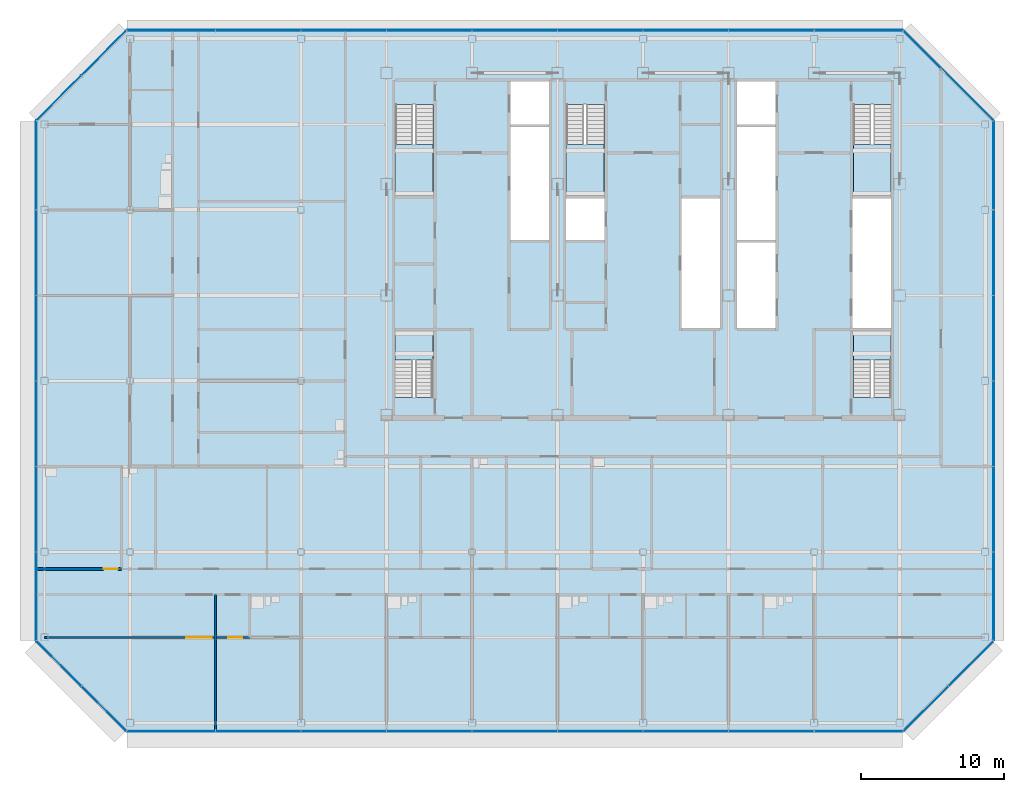
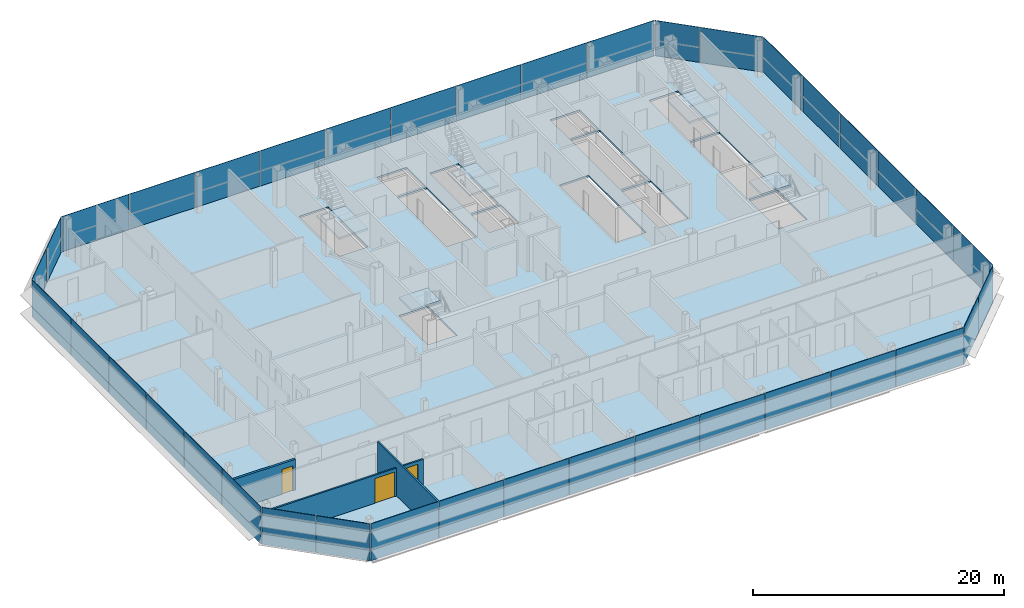
# One storey, part 20 of 28: 38 plates, 6 slabs, 3 doors, 3 walls, 3 openings, 13 elements without a shape of their own.
"""IFC4 building model written with IfcOpenShell, lengths in metres."""

from ifc_helpers import new_model, si_unit, direction, frame, frame_2d, origin, origin_2d, place, context, subcontext, project, spatial, polyline, rectangle, outline, extrude, material, layer, layer_set, type_object, element, fill, aggregate, save


model = new_model("IFC4")

# Units and contexts
model_context = context("Model", 3, precision=1e-05, world=origin(), true_north=direction((0.0, 1.0)))
body_context = subcontext(model_context, "Body", "Model", "MODEL_VIEW")
ifc_project = project(units=[si_unit("LENGTHUNIT", "METRE"), si_unit("AREAUNIT", "SQUARE_METRE"), si_unit("VOLUMEUNIT", "CUBIC_METRE"), si_unit("PLANEANGLEUNIT", "RADIAN"), si_unit("MASSUNIT", "GRAM", prefix="KILO")], contexts=[model_context])

# Site, building, storey
site_placement = place(None, origin())
site = spatial("IfcSite", under=ifc_project, at=site_placement, CompositionType="ELEMENT")
building_placement = place(site_placement, origin())
building = spatial("IfcBuilding", under=site, at=building_placement, Name="Sorahane Residences", CompositionType="ELEMENT")
storey_placement = place(building_placement, frame((0.0, 0.0, 308.800048828125)))
storey = spatial("IfcBuildingStorey", under=building, at=storey_placement, Name="L73", CompositionType="ELEMENT", Elevation=308.800048828125)

# Slab
ifc_material_1 = material(Name="Concrete C35", Category="concrete")
ifc_layer_1 = layer(ifc_material_1, 0.179931640625)
ifc_layer_set_1 = layer_set([ifc_layer_1], Name="Composite floor slab 180 mm Concrete C35")
slab_type_1 = type_object("IfcSlabType", Name="Composite floor slab 180 mm Concrete C35", PredefinedType="FLOOR", material=ifc_layer_set_1)
slab_1_placement = place(storey_placement, frame((0.0, 0.0, -0.179931640625)))
element("IfcSlab", 1, at=slab_1_placement, inside=storey, type_object=slab_type_1, Name="Slab L73", PredefinedType="FLOOR", context=body_context, shape_type="SweptSolid", body=[
    extrude(outline(polyline([(-12.24853515625, -0.60009765625), (-18.60009765625, 5.75146484375), (-18.60009765625, 42.24853515625), (-12.24853515625, 48.60009765625), (42.24853515625, 48.60009765625), (48.60009765625, 42.24853515625), (48.60009765625, 5.75146484375), (42.24853515625, -0.60009765625), (-12.24853515625, -0.60009765625)]), holes=[polyline([(38.699951171875, 27.699951171875), (41.39990234375, 27.699951171875), (41.39990234375, 36.800048828125), (38.699951171875, 36.800048828125), (38.699951171875, 27.699951171875)]), polyline([(30.60009765625, 27.699951171875), (33.300048828125, 27.699951171875), (33.300048828125, 33.699951171875), (30.60009765625, 33.699951171875), (30.60009765625, 27.699951171875)]), polyline([(30.60009765625, 42.0), (33.300048828125, 42.0), (33.300048828125, 45.0), (30.60009765625, 45.0), (30.60009765625, 42.0)]), polyline([(14.699951171875, 42.0), (17.39990234375, 42.0), (17.39990234375, 45.0), (14.699951171875, 45.0), (14.699951171875, 42.0)]), polyline([(6.60009765625, 43.39990234375), (6.60009765625, 37.0), (9.25, 37.0), (9.25, 43.39990234375), (6.60009765625, 43.39990234375)]), polyline([(38.75, 43.39990234375), (38.75, 37.0), (41.39990234375, 37.0), (41.39990234375, 43.39990234375), (38.75, 43.39990234375)]), polyline([(18.60009765625, 43.39990234375), (18.60009765625, 37.0), (21.25, 37.0), (21.25, 43.39990234375), (18.60009765625, 43.39990234375)]), polyline([(9.25, 22.85009765625), (9.25, 27.5), (6.60009765625, 27.5), (6.60009765625, 22.85009765625), (9.25, 22.85009765625)]), polyline([(41.39990234375, 22.85009765625), (41.39990234375, 27.5), (38.75, 27.5), (38.75, 22.85009765625), (41.39990234375, 22.85009765625)]), polyline([(14.699951171875, 33.89990234375), (17.39990234375, 33.89990234375), (17.39990234375, 41.800048828125), (14.699951171875, 41.800048828125), (14.699951171875, 33.89990234375)]), polyline([(30.60009765625, 33.89990234375), (33.300048828125, 33.89990234375), (33.300048828125, 41.800048828125), (30.60009765625, 41.800048828125), (30.60009765625, 33.89990234375)]), polyline([(18.60009765625, 33.89990234375), (21.300048828125, 33.89990234375), (21.300048828125, 36.800048828125), (18.60009765625, 36.800048828125), (18.60009765625, 33.89990234375)]), polyline([(26.699951171875, 27.699951171875), (29.39990234375, 27.699951171875), (29.39990234375, 36.800048828125), (26.699951171875, 36.800048828125), (26.699951171875, 27.699951171875)])]), origin(), (0.0, 0.0, 1.0), 0.179931640625),
])

# Curtain wall, plates
ifc_material_2 = material(Name="Dark low-e glass and black anodised aluminium", Category="aluminium")
curtain_wall_type_1 = type_object("IfcCurtainWallType", Name="Curtain wall CW-1 Typical unitised wall", PredefinedType="NOTDEFINED", material=ifc_material_2)
curtain_wall_1_placement = place(storey_placement, origin())
curtain_wall_1 = element("IfcCurtainWall", 2, at=curtain_wall_1_placement, inside=storey, type_object=curtain_wall_type_1, Name="CW-1 curtain wall L73 S1", PredefinedType="NOTDEFINED")
ifc_material_3 = material(Name="Dark low-e glass with black ceramic frit", Category="glass")
ifc_layer_2 = layer(ifc_material_3, 0.0400390625)
ifc_layer_set_2 = layer_set([ifc_layer_2], Name="Curtain wall glass panel dark low-e with black frit spandrel band")
plate_type = type_object("IfcPlateType", Name="Curtain wall glass panel dark low-e with black frit spandrel band", PredefinedType="CURTAIN_PANEL", material=ifc_layer_set_2)
plate_1_placement = place(storey_placement, frame((-9.11181640625, -0.60009765625, -0.18017578125), z_axis=(0.0, 0.0, 1.0), x_axis=(1.0, 0.0, 0.0)))
plate_1 = element("IfcPlate", 3, at=plate_1_placement, type_object=plate_type, Name="CW-1 glass panel L73 S1.1", PredefinedType="CURTAIN_PANEL", context=body_context, shape_type="SweptSolid", body=[
    extrude(rectangle(XDim=6.173583984375, YDim=0.0400390625, at=origin_2d()), origin(), (0.0, 0.0, 1.0), 3.60009765625),
])
plate_2_placement = place(storey_placement, frame((-3.0, -0.60009765625, -0.18017578125), z_axis=(0.0, 0.0, 1.0), x_axis=(1.0, 0.0, 0.0)))
plate_2 = element("IfcPlate", 4, at=plate_2_placement, type_object=plate_type, Name="CW-1 glass panel L73 S1.2", PredefinedType="CURTAIN_PANEL", context=body_context, shape_type="SweptSolid", body=[
    extrude(rectangle(XDim=5.949951171875, YDim=0.0400390625, at=origin_2d()), origin(), (0.0, 0.0, 1.0), 3.60009765625),
])
plate_3_placement = place(storey_placement, frame((3.0, -0.60009765625, -0.18017578125), z_axis=(0.0, 0.0, 1.0), x_axis=(1.0, 0.0, 0.0)))
plate_3 = element("IfcPlate", 5, at=plate_3_placement, type_object=plate_type, Name="CW-1 glass panel L73 S1.3", PredefinedType="CURTAIN_PANEL", context=body_context, shape_type="SweptSolid", body=[
    extrude(rectangle(XDim=5.949951171875, YDim=0.0400390625, at=origin_2d()), origin(), (0.0, 0.0, 1.0), 3.60009765625),
])
plate_4_placement = place(storey_placement, frame((9.0, -0.60009765625, -0.18017578125), z_axis=(0.0, 0.0, 1.0), x_axis=(1.0, 0.0, 0.0)))
plate_4 = element("IfcPlate", 6, at=plate_4_placement, type_object=plate_type, Name="CW-1 glass panel L73 S1.4", PredefinedType="CURTAIN_PANEL", context=body_context, shape_type="SweptSolid", body=[
    extrude(rectangle(XDim=5.949951171875, YDim=0.0400390625, at=origin_2d()), origin(), (0.0, 0.0, 1.0), 3.60009765625),
])
plate_5_placement = place(storey_placement, frame((15.0, -0.60009765625, -0.18017578125), z_axis=(0.0, 0.0, 1.0), x_axis=(1.0, 0.0, 0.0)))
plate_5 = element("IfcPlate", 7, at=plate_5_placement, type_object=plate_type, Name="CW-1 glass panel L73 S1.5", PredefinedType="CURTAIN_PANEL", context=body_context, shape_type="SweptSolid", body=[
    extrude(rectangle(XDim=5.949951171875, YDim=0.0400390625, at=origin_2d()), origin(), (0.0, 0.0, 1.0), 3.60009765625),
])
plate_6_placement = place(storey_placement, frame((21.0, -0.60009765625, -0.18017578125), z_axis=(0.0, 0.0, 1.0), x_axis=(1.0, 0.0, 0.0)))
plate_6 = element("IfcPlate", 8, at=plate_6_placement, type_object=plate_type, Name="CW-1 glass panel L73 S1.6", PredefinedType="CURTAIN_PANEL", context=body_context, shape_type="SweptSolid", body=[
    extrude(rectangle(XDim=5.949951171875, YDim=0.0400390625, at=origin_2d()), origin(), (0.0, 0.0, 1.0), 3.60009765625),
])
plate_7_placement = place(storey_placement, frame((27.0, -0.60009765625, -0.18017578125), z_axis=(0.0, 0.0, 1.0), x_axis=(1.0, 0.0, 0.0)))
plate_7 = element("IfcPlate", 9, at=plate_7_placement, type_object=plate_type, Name="CW-1 glass panel L73 S1.7", PredefinedType="CURTAIN_PANEL", context=body_context, shape_type="SweptSolid", body=[
    extrude(rectangle(XDim=5.949951171875, YDim=0.0400390625, at=origin_2d()), origin(), (0.0, 0.0, 1.0), 3.60009765625),
])
plate_8_placement = place(storey_placement, frame((33.0, -0.60009765625, -0.18017578125), z_axis=(0.0, 0.0, 1.0), x_axis=(1.0, 0.0, 0.0)))
plate_8 = element("IfcPlate", 10, at=plate_8_placement, type_object=plate_type, Name="CW-1 glass panel L73 S1.8", PredefinedType="CURTAIN_PANEL", context=body_context, shape_type="SweptSolid", body=[
    extrude(rectangle(XDim=5.949951171875, YDim=0.0400390625, at=origin_2d()), origin(), (0.0, 0.0, 1.0), 3.60009765625),
])
plate_9_placement = place(storey_placement, frame((39.11181640625, -0.60009765625, -0.18017578125), z_axis=(0.0, 0.0, 1.0), x_axis=(1.0, 0.0, 0.0)))
plate_9 = element("IfcPlate", 11, at=plate_9_placement, type_object=plate_type, Name="CW-1 glass panel L73 S1.9", PredefinedType="CURTAIN_PANEL", context=body_context, shape_type="SweptSolid", body=[
    extrude(rectangle(XDim=6.173583984375, YDim=0.0400390625, at=origin_2d()), origin(), (0.0, 0.0, 1.0), 3.60009765625),
])
aggregate(curtain_wall_1, [plate_1, plate_2, plate_3, plate_4, plate_5, plate_6, plate_7, plate_8, plate_9])

ifc_material_4 = material(Name="Dark low-e glass and black anodised aluminium", Category="aluminium")
curtain_wall_type_2 = type_object("IfcCurtainWallType", Name="Curtain wall CW-2 Chamfer unitised wall", PredefinedType="NOTDEFINED", material=ifc_material_4)
curtain_wall_2_placement = place(storey_placement, origin())
curtain_wall_2 = element("IfcCurtainWall", 12, at=curtain_wall_2_placement, inside=storey, type_object=curtain_wall_type_2, Name="CW-2 curtain wall L73 SE1", PredefinedType="NOTDEFINED")
plate_10_placement = place(storey_placement, frame((43.84521484375, 0.996826171875, -0.18017578125), z_axis=(0.0, 0.0, 1.0), x_axis=(0.707106781187, 0.707106781187, 0.0)))
plate_10 = element("IfcPlate", 13, at=plate_10_placement, type_object=plate_type, Name="CW-2 glass panel L73 SE1.1", PredefinedType="CURTAIN_PANEL", context=body_context, shape_type="SweptSolid", body=[
    extrude(rectangle(XDim=4.416259765625, YDim=0.0400390625, at=origin_2d()), origin(), (0.0, 0.0, 1.0), 3.60009765625),
])
plate_11_placement = place(storey_placement, frame((47.003173828125, 4.15478515625, -0.18017578125), z_axis=(0.0, 0.0, 1.0), x_axis=(0.707106781187, 0.707106781187, 0.0)))
plate_11 = element("IfcPlate", 14, at=plate_11_placement, type_object=plate_type, Name="CW-2 glass panel L73 SE1.2", PredefinedType="CURTAIN_PANEL", context=body_context, shape_type="SweptSolid", body=[
    extrude(rectangle(XDim=4.416259765625, YDim=0.0400390625, at=origin_2d()), origin(), (0.0, 0.0, 1.0), 3.60009765625),
])
aggregate(curtain_wall_2, [plate_10, plate_11])

curtain_wall_3_placement = place(storey_placement, origin())
curtain_wall_3 = element("IfcCurtainWall", 15, at=curtain_wall_3_placement, inside=storey, type_object=curtain_wall_type_1, Name="CW-1 curtain wall L73 E1", PredefinedType="NOTDEFINED")
plate_12_placement = place(storey_placement, frame((48.60009765625, 8.88818359375, -0.18017578125), z_axis=(0.0, 0.0, 1.0), x_axis=(0.0, 1.0, 0.0)))
plate_12 = element("IfcPlate", 16, at=plate_12_placement, type_object=plate_type, Name="CW-1 glass panel L73 E1.1", PredefinedType="CURTAIN_PANEL", context=body_context, shape_type="SweptSolid", body=[
    extrude(rectangle(XDim=6.173583984375, YDim=0.0400390625, at=origin_2d()), origin(), (0.0, 0.0, 1.0), 3.60009765625),
])
plate_13_placement = place(storey_placement, frame((48.60009765625, 15.0, -0.18017578125), z_axis=(0.0, 0.0, 1.0), x_axis=(0.0, 1.0, 0.0)))
plate_13 = element("IfcPlate", 17, at=plate_13_placement, type_object=plate_type, Name="CW-1 glass panel L73 E1.2", PredefinedType="CURTAIN_PANEL", context=body_context, shape_type="SweptSolid", body=[
    extrude(rectangle(XDim=5.949951171875, YDim=0.0400390625, at=origin_2d()), origin(), (0.0, 0.0, 1.0), 3.60009765625),
])
plate_14_placement = place(storey_placement, frame((48.60009765625, 21.0, -0.18017578125), z_axis=(0.0, 0.0, 1.0), x_axis=(0.0, 1.0, 0.0)))
plate_14 = element("IfcPlate", 18, at=plate_14_placement, type_object=plate_type, Name="CW-1 glass panel L73 E1.3", PredefinedType="CURTAIN_PANEL", context=body_context, shape_type="SweptSolid", body=[
    extrude(rectangle(XDim=5.949951171875, YDim=0.0400390625, at=origin_2d()), origin(), (0.0, 0.0, 1.0), 3.60009765625),
])
plate_15_placement = place(storey_placement, frame((48.60009765625, 27.0, -0.18017578125), z_axis=(0.0, 0.0, 1.0), x_axis=(0.0, 1.0, 0.0)))
plate_15 = element("IfcPlate", 19, at=plate_15_placement, type_object=plate_type, Name="CW-1 glass panel L73 E1.4", PredefinedType="CURTAIN_PANEL", context=body_context, shape_type="SweptSolid", body=[
    extrude(rectangle(XDim=5.949951171875, YDim=0.0400390625, at=origin_2d()), origin(), (0.0, 0.0, 1.0), 3.60009765625),
])
plate_16_placement = place(storey_placement, frame((48.60009765625, 33.0, -0.18017578125), z_axis=(0.0, 0.0, 1.0), x_axis=(0.0, 1.0, 0.0)))
plate_16 = element("IfcPlate", 20, at=plate_16_placement, type_object=plate_type, Name="CW-1 glass panel L73 E1.5", PredefinedType="CURTAIN_PANEL", context=body_context, shape_type="SweptSolid", body=[
    extrude(rectangle(XDim=5.949951171875, YDim=0.0400390625, at=origin_2d()), origin(), (0.0, 0.0, 1.0), 3.60009765625),
])
plate_17_placement = place(storey_placement, frame((48.60009765625, 39.11181640625, -0.18017578125), z_axis=(0.0, 0.0, 1.0), x_axis=(0.0, 1.0, 0.0)))
plate_17 = element("IfcPlate", 21, at=plate_17_placement, type_object=plate_type, Name="CW-1 glass panel L73 E1.6", PredefinedType="CURTAIN_PANEL", context=body_context, shape_type="SweptSolid", body=[
    extrude(rectangle(XDim=6.173583984375, YDim=0.0400390625, at=origin_2d()), origin(), (0.0, 0.0, 1.0), 3.60009765625),
])
aggregate(curtain_wall_3, [plate_12, plate_13, plate_14, plate_15, plate_16, plate_17])

curtain_wall_4_placement = place(storey_placement, origin())
curtain_wall_4 = element("IfcCurtainWall", 22, at=curtain_wall_4_placement, inside=storey, type_object=curtain_wall_type_2, Name="CW-2 curtain wall L73 NE1", PredefinedType="NOTDEFINED")
plate_18_placement = place(storey_placement, frame((46.740966796875, 44.107421875, -0.18017578125), z_axis=(0.0, 0.0, 1.0), x_axis=(-0.707106781187, 0.707106781187, 0.0)))
plate_18 = element("IfcPlate", 23, at=plate_18_placement, type_object=plate_type, Name="CW-2 glass panel L73 NE1.1", PredefinedType="CURTAIN_PANEL", context=body_context, shape_type="SweptSolid", body=[
    extrude(rectangle(XDim=5.157958984375, YDim=0.0400390625, at=origin_2d()), origin(), (0.0, 0.0, 1.0), 3.60009765625),
])
plate_19_placement = place(storey_placement, frame((43.5830078125, 47.265625, -0.18017578125), z_axis=(0.0, 0.0, 1.0), x_axis=(-0.707106781187, 0.707106781187, 0.0)))
plate_19 = element("IfcPlate", 24, at=plate_19_placement, type_object=plate_type, Name="CW-2 glass panel L73 NE1.2", PredefinedType="CURTAIN_PANEL", context=body_context, shape_type="SweptSolid", body=[
    extrude(rectangle(XDim=3.67431640625, YDim=0.0400390625, at=origin_2d()), origin(), (0.0, 0.0, 1.0), 3.60009765625),
])
aggregate(curtain_wall_4, [plate_18, plate_19])

curtain_wall_5_placement = place(storey_placement, origin())
curtain_wall_5 = element("IfcCurtainWall", 25, at=curtain_wall_5_placement, inside=storey, type_object=curtain_wall_type_1, Name="CW-1 curtain wall L73 N1", PredefinedType="NOTDEFINED")
plate_20_placement = place(storey_placement, frame((39.11181640625, 48.60009765625, -0.18017578125), z_axis=(0.0, 0.0, 1.0), x_axis=(-1.0, 0.0, 0.0)))
plate_20 = element("IfcPlate", 26, at=plate_20_placement, type_object=plate_type, Name="CW-1 glass panel L73 N1.1", PredefinedType="CURTAIN_PANEL", context=body_context, shape_type="SweptSolid", body=[
    extrude(rectangle(XDim=6.173583984375, YDim=0.0400390625, at=origin_2d()), origin(), (0.0, 0.0, 1.0), 3.60009765625),
])
plate_21_placement = place(storey_placement, frame((33.0, 48.60009765625, -0.18017578125), z_axis=(0.0, 0.0, 1.0), x_axis=(-1.0, 0.0, 0.0)))
plate_21 = element("IfcPlate", 27, at=plate_21_placement, type_object=plate_type, Name="CW-1 glass panel L73 N1.2", PredefinedType="CURTAIN_PANEL", context=body_context, shape_type="SweptSolid", body=[
    extrude(rectangle(XDim=5.949951171875, YDim=0.0400390625, at=origin_2d()), origin(), (0.0, 0.0, 1.0), 3.60009765625),
])
plate_22_placement = place(storey_placement, frame((27.0, 48.60009765625, -0.18017578125), z_axis=(0.0, 0.0, 1.0), x_axis=(-1.0, 0.0, 0.0)))
plate_22 = element("IfcPlate", 28, at=plate_22_placement, type_object=plate_type, Name="CW-1 glass panel L73 N1.3", PredefinedType="CURTAIN_PANEL", context=body_context, shape_type="SweptSolid", body=[
    extrude(rectangle(XDim=5.949951171875, YDim=0.0400390625, at=origin_2d()), origin(), (0.0, 0.0, 1.0), 3.60009765625),
])
plate_23_placement = place(storey_placement, frame((21.0, 48.60009765625, -0.18017578125), z_axis=(0.0, 0.0, 1.0), x_axis=(-1.0, 0.0, 0.0)))
plate_23 = element("IfcPlate", 29, at=plate_23_placement, type_object=plate_type, Name="CW-1 glass panel L73 N1.4", PredefinedType="CURTAIN_PANEL", context=body_context, shape_type="SweptSolid", body=[
    extrude(rectangle(XDim=5.949951171875, YDim=0.0400390625, at=origin_2d()), origin(), (0.0, 0.0, 1.0), 3.60009765625),
])
plate_24_placement = place(storey_placement, frame((15.0, 48.60009765625, -0.18017578125), z_axis=(0.0, 0.0, 1.0), x_axis=(-1.0, 0.0, 0.0)))
plate_24 = element("IfcPlate", 30, at=plate_24_placement, type_object=plate_type, Name="CW-1 glass panel L73 N1.5", PredefinedType="CURTAIN_PANEL", context=body_context, shape_type="SweptSolid", body=[
    extrude(rectangle(XDim=5.949951171875, YDim=0.0400390625, at=origin_2d()), origin(), (0.0, 0.0, 1.0), 3.60009765625),
])
plate_25_placement = place(storey_placement, frame((9.0, 48.60009765625, -0.18017578125), z_axis=(0.0, 0.0, 1.0), x_axis=(-1.0, 0.0, 0.0)))
plate_25 = element("IfcPlate", 31, at=plate_25_placement, type_object=plate_type, Name="CW-1 glass panel L73 N1.6", PredefinedType="CURTAIN_PANEL", context=body_context, shape_type="SweptSolid", body=[
    extrude(rectangle(XDim=5.949951171875, YDim=0.0400390625, at=origin_2d()), origin(), (0.0, 0.0, 1.0), 3.60009765625),
])
plate_26_placement = place(storey_placement, frame((3.0, 48.60009765625, -0.18017578125), z_axis=(0.0, 0.0, 1.0), x_axis=(-1.0, 0.0, 0.0)))
plate_26 = element("IfcPlate", 32, at=plate_26_placement, type_object=plate_type, Name="CW-1 glass panel L73 N1.7", PredefinedType="CURTAIN_PANEL", context=body_context, shape_type="SweptSolid", body=[
    extrude(rectangle(XDim=5.949951171875, YDim=0.0400390625, at=origin_2d()), origin(), (0.0, 0.0, 1.0), 3.60009765625),
])
plate_27_placement = place(storey_placement, frame((-3.0, 48.60009765625, -0.18017578125), z_axis=(0.0, 0.0, 1.0), x_axis=(-1.0, 0.0, 0.0)))
plate_27 = element("IfcPlate", 33, at=plate_27_placement, type_object=plate_type, Name="CW-1 glass panel L73 N1.8", PredefinedType="CURTAIN_PANEL", context=body_context, shape_type="SweptSolid", body=[
    extrude(rectangle(XDim=5.949951171875, YDim=0.0400390625, at=origin_2d()), origin(), (0.0, 0.0, 1.0), 3.60009765625),
])
plate_28_placement = place(storey_placement, frame((-9.11181640625, 48.60009765625, -0.18017578125), z_axis=(0.0, 0.0, 1.0), x_axis=(-1.0, 0.0, 0.0)))
plate_28 = element("IfcPlate", 34, at=plate_28_placement, type_object=plate_type, Name="CW-1 glass panel L73 N1.9", PredefinedType="CURTAIN_PANEL", context=body_context, shape_type="SweptSolid", body=[
    extrude(rectangle(XDim=6.173583984375, YDim=0.0400390625, at=origin_2d()), origin(), (0.0, 0.0, 1.0), 3.60009765625),
])
aggregate(curtain_wall_5, [plate_20, plate_21, plate_22, plate_23, plate_24, plate_25, plate_26, plate_27, plate_28])

curtain_wall_6_placement = place(storey_placement, origin())
curtain_wall_6 = element("IfcCurtainWall", 35, at=curtain_wall_6_placement, inside=storey, type_object=curtain_wall_type_2, Name="CW-2 curtain wall L73 NW1", PredefinedType="NOTDEFINED")
plate_29_placement = place(storey_placement, frame((-13.84521484375, 47.003173828125, -0.18017578125), z_axis=(0.0, 0.0, 1.0), x_axis=(-0.707106781187, -0.707106781187, 0.0)))
plate_29 = element("IfcPlate", 36, at=plate_29_placement, type_object=plate_type, Name="CW-2 glass panel L73 NW1.1", PredefinedType="CURTAIN_PANEL", context=body_context, shape_type="SweptSolid", body=[
    extrude(rectangle(XDim=4.416259765625, YDim=0.0400390625, at=origin_2d()), origin(), (0.0, 0.0, 1.0), 3.60009765625),
])
plate_30_placement = place(storey_placement, frame((-17.003173828125, 43.84521484375, -0.18017578125), z_axis=(0.0, 0.0, 1.0), x_axis=(-0.707106781187, -0.707106781187, 0.0)))
plate_30 = element("IfcPlate", 37, at=plate_30_placement, type_object=plate_type, Name="CW-2 glass panel L73 NW1.2", PredefinedType="CURTAIN_PANEL", context=body_context, shape_type="SweptSolid", body=[
    extrude(rectangle(XDim=4.416259765625, YDim=0.0400390625, at=origin_2d()), origin(), (0.0, 0.0, 1.0), 3.60009765625),
])
aggregate(curtain_wall_6, [plate_29, plate_30])

curtain_wall_7_placement = place(storey_placement, origin())
curtain_wall_7 = element("IfcCurtainWall", 38, at=curtain_wall_7_placement, inside=storey, type_object=curtain_wall_type_1, Name="CW-1 curtain wall L73 W1", PredefinedType="NOTDEFINED")
plate_31_placement = place(storey_placement, frame((-18.60009765625, 39.11181640625, -0.18017578125), z_axis=(0.0, 0.0, 1.0), x_axis=(0.0, -1.0, 0.0)))
plate_31 = element("IfcPlate", 39, at=plate_31_placement, type_object=plate_type, Name="CW-1 glass panel L73 W1.1", PredefinedType="CURTAIN_PANEL", context=body_context, shape_type="SweptSolid", body=[
    extrude(rectangle(XDim=6.173583984375, YDim=0.0400390625, at=origin_2d()), origin(), (0.0, 0.0, 1.0), 3.60009765625),
])
plate_32_placement = place(storey_placement, frame((-18.60009765625, 33.0, -0.18017578125), z_axis=(0.0, 0.0, 1.0), x_axis=(0.0, -1.0, 0.0)))
plate_32 = element("IfcPlate", 40, at=plate_32_placement, type_object=plate_type, Name="CW-1 glass panel L73 W1.2", PredefinedType="CURTAIN_PANEL", context=body_context, shape_type="SweptSolid", body=[
    extrude(rectangle(XDim=5.949951171875, YDim=0.0400390625, at=origin_2d()), origin(), (0.0, 0.0, 1.0), 3.60009765625),
])
plate_33_placement = place(storey_placement, frame((-18.60009765625, 27.0, -0.18017578125), z_axis=(0.0, 0.0, 1.0), x_axis=(0.0, -1.0, 0.0)))
plate_33 = element("IfcPlate", 41, at=plate_33_placement, type_object=plate_type, Name="CW-1 glass panel L73 W1.3", PredefinedType="CURTAIN_PANEL", context=body_context, shape_type="SweptSolid", body=[
    extrude(rectangle(XDim=5.949951171875, YDim=0.0400390625, at=origin_2d()), origin(), (0.0, 0.0, 1.0), 3.60009765625),
])
plate_34_placement = place(storey_placement, frame((-18.60009765625, 21.0, -0.18017578125), z_axis=(0.0, 0.0, 1.0), x_axis=(0.0, -1.0, 0.0)))
plate_34 = element("IfcPlate", 42, at=plate_34_placement, type_object=plate_type, Name="CW-1 glass panel L73 W1.4", PredefinedType="CURTAIN_PANEL", context=body_context, shape_type="SweptSolid", body=[
    extrude(rectangle(XDim=5.949951171875, YDim=0.0400390625, at=origin_2d()), origin(), (0.0, 0.0, 1.0), 3.60009765625),
])
plate_35_placement = place(storey_placement, frame((-18.60009765625, 15.0, -0.18017578125), z_axis=(0.0, 0.0, 1.0), x_axis=(0.0, -1.0, 0.0)))
plate_35 = element("IfcPlate", 43, at=plate_35_placement, type_object=plate_type, Name="CW-1 glass panel L73 W1.5", PredefinedType="CURTAIN_PANEL", context=body_context, shape_type="SweptSolid", body=[
    extrude(rectangle(XDim=5.949951171875, YDim=0.0400390625, at=origin_2d()), origin(), (0.0, 0.0, 1.0), 3.60009765625),
])
plate_36_placement = place(storey_placement, frame((-18.60009765625, 8.88818359375, -0.18017578125), z_axis=(0.0, 0.0, 1.0), x_axis=(0.0, -1.0, 0.0)))
plate_36 = element("IfcPlate", 44, at=plate_36_placement, type_object=plate_type, Name="CW-1 glass panel L73 W1.6", PredefinedType="CURTAIN_PANEL", context=body_context, shape_type="SweptSolid", body=[
    extrude(rectangle(XDim=6.173583984375, YDim=0.0400390625, at=origin_2d()), origin(), (0.0, 0.0, 1.0), 3.60009765625),
])
aggregate(curtain_wall_7, [plate_31, plate_32, plate_33, plate_34, plate_35, plate_36])

curtain_wall_8_placement = place(storey_placement, origin())
curtain_wall_8 = element("IfcCurtainWall", 45, at=curtain_wall_8_placement, inside=storey, type_object=curtain_wall_type_2, Name="CW-2 curtain wall L73 SW1", PredefinedType="NOTDEFINED")
plate_37_placement = place(storey_placement, frame((-17.003173828125, 4.15478515625, -0.18017578125), z_axis=(0.0, 0.0, 1.0), x_axis=(0.707106781187, -0.707106781187, 0.0)))
plate_37 = element("IfcPlate", 46, at=plate_37_placement, type_object=plate_type, Name="CW-2 glass panel L73 SW1.1", PredefinedType="CURTAIN_PANEL", context=body_context, shape_type="SweptSolid", body=[
    extrude(rectangle(XDim=4.416259765625, YDim=0.0400390625, at=origin_2d()), origin(), (0.0, 0.0, 1.0), 3.60009765625),
])
plate_38_placement = place(storey_placement, frame((-13.84521484375, 0.996826171875, -0.18017578125), z_axis=(0.0, 0.0, 1.0), x_axis=(0.707106781187, -0.707106781187, 0.0)))
plate_38 = element("IfcPlate", 47, at=plate_38_placement, type_object=plate_type, Name="CW-2 glass panel L73 SW1.2", PredefinedType="CURTAIN_PANEL", context=body_context, shape_type="SweptSolid", body=[
    extrude(rectangle(XDim=4.416259765625, YDim=0.0400390625, at=origin_2d()), origin(), (0.0, 0.0, 1.0), 3.60009765625),
])
aggregate(curtain_wall_8, [plate_37, plate_38])

# Stair, slab
ifc_material_5 = material(Name="Concrete C40", Category="concrete")
stair_type = type_object("IfcStairType", Name="Dog-leg stair 1250 Concrete C40", PredefinedType="HALF_TURN_STAIR", material=ifc_material_5)
stair_1_placement = place(storey_placement, origin())
stair_1 = element("IfcStair", 48, at=stair_1_placement, inside=storey, type_object=stair_type, Name="L73 Stair S1", PredefinedType="HALF_TURN_STAIR")
ifc_material_6 = material(Name="Concrete C40", Category="concrete")
ifc_layer_3 = layer(ifc_material_6, 0.199951171875)
ifc_layer_set_3 = layer_set([ifc_layer_3], Name="Stair landing 200 Concrete C40")
slab_type_2 = type_object("IfcSlabType", Name="Stair landing 200 Concrete C40", PredefinedType="LANDING", material=ifc_layer_set_3)
slab_2_placement = place(storey_placement, frame((0.0, 0.0, 1.599853515625)))
slab_2 = element("IfcSlab", 49, at=slab_2_placement, type_object=slab_type_2, Name="S1 landing 1", PredefinedType="LANDING", context=body_context, shape_type="SweptSolid", body=[
    extrude(outline(polyline([(6.60009765625, 40.60009765625), (6.60009765625, 37.0), (9.25, 37.0), (9.25, 40.60009765625), (6.60009765625, 40.60009765625)])), origin(), (0.0, 0.0, 1.0), 0.2001953125),
])
aggregate(stair_1, [slab_2])

stair_2_placement = place(storey_placement, origin())
stair_2 = element("IfcStair", 50, at=stair_2_placement, inside=storey, type_object=stair_type, Name="L73 Stair S2", PredefinedType="HALF_TURN_STAIR")
slab_3_placement = place(storey_placement, frame((0.0, 0.0, 1.599853515625)))
slab_3 = element("IfcSlab", 51, at=slab_3_placement, type_object=slab_type_2, Name="S2 landing 1", PredefinedType="LANDING", context=body_context, shape_type="SweptSolid", body=[
    extrude(outline(polyline([(38.75, 40.60009765625), (38.75, 37.0), (41.39990234375, 37.0), (41.39990234375, 40.60009765625), (38.75, 40.60009765625)])), origin(), (0.0, 0.0, 1.0), 0.2001953125),
])
aggregate(stair_2, [slab_3])

stair_3_placement = place(storey_placement, origin())
stair_3 = element("IfcStair", 52, at=stair_3_placement, inside=storey, type_object=stair_type, Name="L73 Stair S3", PredefinedType="HALF_TURN_STAIR")
slab_4_placement = place(storey_placement, frame((0.0, 0.0, 1.599853515625)))
slab_4 = element("IfcSlab", 53, at=slab_4_placement, type_object=slab_type_2, Name="S3 landing 1", PredefinedType="LANDING", context=body_context, shape_type="SweptSolid", body=[
    extrude(outline(polyline([(18.60009765625, 40.60009765625), (18.60009765625, 37.0), (21.25, 37.0), (21.25, 40.60009765625), (18.60009765625, 40.60009765625)])), origin(), (0.0, 0.0, 1.0), 0.2001953125),
])
aggregate(stair_3, [slab_4])

stair_4_placement = place(storey_placement, origin())
stair_4 = element("IfcStair", 54, at=stair_4_placement, inside=storey, type_object=stair_type, Name="L73 Stair S4", PredefinedType="HALF_TURN_STAIR")
slab_5_placement = place(storey_placement, frame((0.0, 0.0, 1.599853515625)))
slab_5 = element("IfcSlab", 55, at=slab_5_placement, type_object=slab_type_2, Name="S4 landing 1", PredefinedType="LANDING", context=body_context, shape_type="SweptSolid", body=[
    extrude(outline(polyline([(9.25, 25.449951171875), (9.25, 27.5), (6.60009765625, 27.5), (6.60009765625, 25.449951171875), (9.25, 25.449951171875)])), origin(), (0.0, 0.0, 1.0), 0.2001953125),
])
aggregate(stair_4, [slab_5])

stair_5_placement = place(storey_placement, origin())
stair_5 = element("IfcStair", 56, at=stair_5_placement, inside=storey, type_object=stair_type, Name="L73 Stair S5", PredefinedType="HALF_TURN_STAIR")
slab_6_placement = place(storey_placement, frame((0.0, 0.0, 1.599853515625)))
slab_6 = element("IfcSlab", 57, at=slab_6_placement, type_object=slab_type_2, Name="S5 landing 1", PredefinedType="LANDING", context=body_context, shape_type="SweptSolid", body=[
    extrude(outline(polyline([(41.39990234375, 25.449951171875), (41.39990234375, 27.5), (38.75, 27.5), (38.75, 25.449951171875), (41.39990234375, 25.449951171875)])), origin(), (0.0, 0.0, 1.0), 0.2001953125),
])
aggregate(stair_5, [slab_6])

# Wall, opening, door
ifc_material_7 = material(Name="Concrete blockwork C20 wall", Category="masonry")
ifc_layer_4 = layer(ifc_material_7, 0.199951171875)
ifc_layer_set_4 = layer_set([ifc_layer_4], Name="Kitchen wall 200 EI 180")
wall_type_1 = type_object("IfcWallType", Name="Kitchen wall 200 EI 180", PredefinedType="SOLIDWALL", material=ifc_layer_set_4)
wall_1_placement = place(storey_placement, frame((-18.60009765625, 10.800048828125, 0.0), z_axis=(0.0, 0.0, 1.0), x_axis=(1.0, 0.0, 0.0)))
wall_1 = element("IfcWall", 58, at=wall_1_placement, inside=storey, type_object=wall_type_1, Name="L73 kitchen wall", PredefinedType="SOLIDWALL", context=body_context, shape_type="SweptSolid", body=[
    extrude(rectangle(XDim=6.0, YDim=0.199951171875, at=frame_2d((3.0, 0.0))), origin(), (0.0, 0.0, 1.0), 2.969970703125),
])
opening_1_placement = place(wall_1_placement, frame((4.75, 0.0, 0.0)))
opening_1 = element("IfcOpeningElement", 59, at=opening_1_placement, cuts=wall_1, Name="Opening L73-02", PredefinedType="OPENING", context=body_context, shape_type="SweptSolid", body=[
    extrude(rectangle(XDim=1.0, YDim=2.39990234375, at=frame_2d((0.5, 1.199951171875))), frame((0.0, 0.10986328125, 0.0), z_axis=(0.0, -1.0, 0.0), x_axis=(1.0, 0.0, 0.0)), (0.0, 0.0, 1.0), 0.219970703125),
])
ifc_material_8 = material(Name="Steel", Category="steel")
door_type_1 = type_object("IfcDoorType", Name="Kitchen door 1000x2400 FD120", OperationType="NOTDEFINED", PredefinedType="DOOR", material=ifc_material_8)
door_1_placement = place(opening_1_placement, origin())
door_1 = element("IfcDoor", 60, at=door_1_placement, inside=storey, type_object=door_type_1, Name="Kitchen door L73-02", OperationType="SINGLE_SWING_RIGHT", OverallHeight=2.39990234375, OverallWidth=1.0, PredefinedType="DOOR", context=body_context, shape_type="SweptSolid", body=[
    extrude(rectangle(XDim=1.0, YDim=2.39990234375, at=frame_2d((0.5, 1.199951171875))), frame((0.0, 0.02490234375, 0.0), z_axis=(0.0, -1.0, 0.0), x_axis=(1.0, 0.0, 0.0)), (0.0, 0.0, 1.0), 0.050048828125),
])
fill(opening_1, door_1)

# Wall
ifc_material_9 = material(Name="Gypsum board partition on steel studs", Category="steel")
ifc_layer_5 = layer(ifc_material_9, 0.14990234375)
ifc_layer_set_5 = layer_set([ifc_layer_5], Name="Partition 150 EI 90")
wall_type_2 = type_object("IfcWallType", Name="Partition 150 EI 90", PredefinedType="PARTITIONING", material=ifc_layer_set_5)
wall_2_placement = place(storey_placement, frame((-6.0, -0.60009765625, 0.0), z_axis=(0.0, 0.0, 1.0), x_axis=(0.0, 1.0, 0.0)))
element("IfcWall", 61, at=wall_2_placement, inside=storey, type_object=wall_type_2, Name="L73 partition", PredefinedType="PARTITIONING", context=body_context, shape_type="SweptSolid", body=[
    extrude(rectangle(XDim=9.60009765625, YDim=0.14990234375, at=frame_2d((4.800048828125, 0.0))), origin(), (0.0, 0.0, 1.0), 3.419921875),
])

# Wall, openings, doors
wall_3_placement = place(storey_placement, frame((-18.0, 6.0, 0.0), z_axis=(0.0, 0.0, 1.0), x_axis=(1.0, 0.0, 0.0)))
wall_3 = element("IfcWall", 62, at=wall_3_placement, inside=storey, type_object=wall_type_2, Name="L73 partition", PredefinedType="PARTITIONING", context=body_context, shape_type="SweptSolid", body=[
    extrude(rectangle(XDim=14.39990234375, YDim=0.14990234375, at=frame_2d((7.199951171875, 0.0))), origin(), (0.0, 0.0, 1.0), 2.719970703125),
])
opening_2_placement = place(wall_3_placement, frame((9.949951171875, 0.0, 0.0)))
opening_2 = element("IfcOpeningElement", 63, at=opening_2_placement, cuts=wall_3, Name="Opening L73-10", PredefinedType="OPENING", context=body_context, shape_type="SweptSolid", body=[
    extrude(rectangle(XDim=1.800048828125, YDim=2.39990234375, at=frame_2d((0.89990234375, 1.199951171875))), frame((0.0, 0.0849609375, 0.0), z_axis=(0.0, -1.0, 0.0), x_axis=(1.0, 0.0, 0.0)), (0.0, 0.0, 1.0), 0.169921875),
])
opening_3_placement = place(wall_3_placement, frame((12.8798828125, 0.0, 0.0)))
opening_3 = element("IfcOpeningElement", 64, at=opening_3_placement, cuts=wall_3, Name="Opening L73-11", PredefinedType="OPENING", context=body_context, shape_type="SweptSolid", body=[
    extrude(rectangle(XDim=1.0, YDim=2.39990234375, at=frame_2d((0.5, 1.199951171875))), frame((0.0, 0.0849609375, 0.0), z_axis=(0.0, -1.0, 0.0), x_axis=(1.0, 0.0, 0.0)), (0.0, 0.0, 1.0), 0.169921875),
])
ifc_material_10 = material(Name="Timber veneered fire door", Category="wood")
door_type_2 = type_object("IfcDoorType", Name="Double door 1800x2400 FD30", OperationType="NOTDEFINED", PredefinedType="DOOR", material=ifc_material_10)
door_2_placement = place(opening_2_placement, frame((1.800048828125, 0.0, 0.0), z_axis=(0.0, 0.0, 1.0), x_axis=(-1.0, 0.0, 0.0)))
door_2 = element("IfcDoor", 65, at=door_2_placement, inside=storey, type_object=door_type_2, Name="Double door L73-10", OperationType="SINGLE_SWING_RIGHT", OverallHeight=2.39990234375, OverallWidth=1.800048828125, PredefinedType="DOOR", context=body_context, shape_type="SweptSolid", body=[
    extrude(rectangle(XDim=1.800048828125, YDim=2.39990234375, at=frame_2d((0.89990234375, 1.199951171875))), frame((0.0, 0.02490234375, 0.0), z_axis=(0.0, -1.0, 0.0), x_axis=(1.0, 0.0, 0.0)), (0.0, 0.0, 1.0), 0.050048828125),
])
fill(opening_2, door_2)
ifc_material_11 = material(Name="Timber veneered fire door", Category="wood")
door_type_3 = type_object("IfcDoorType", Name="Room door 1000x2400 FD30", OperationType="NOTDEFINED", PredefinedType="DOOR", material=ifc_material_11)
door_3_placement = place(opening_3_placement, frame((1.0, 0.0, 0.0), z_axis=(0.0, 0.0, 1.0), x_axis=(-1.0, 0.0, 0.0)))
door_3 = element("IfcDoor", 66, at=door_3_placement, inside=storey, type_object=door_type_3, Name="Room door L73-11", OperationType="SINGLE_SWING_RIGHT", OverallHeight=2.39990234375, OverallWidth=1.0, PredefinedType="DOOR", context=body_context, shape_type="SweptSolid", body=[
    extrude(rectangle(XDim=1.0, YDim=2.39990234375, at=frame_2d((0.5, 1.199951171875))), frame((0.0, 0.02490234375, 0.0), z_axis=(0.0, -1.0, 0.0), x_axis=(1.0, 0.0, 0.0)), (0.0, 0.0, 1.0), 0.050048828125),
])
fill(opening_3, door_3)

save(model, "model.ifc")
